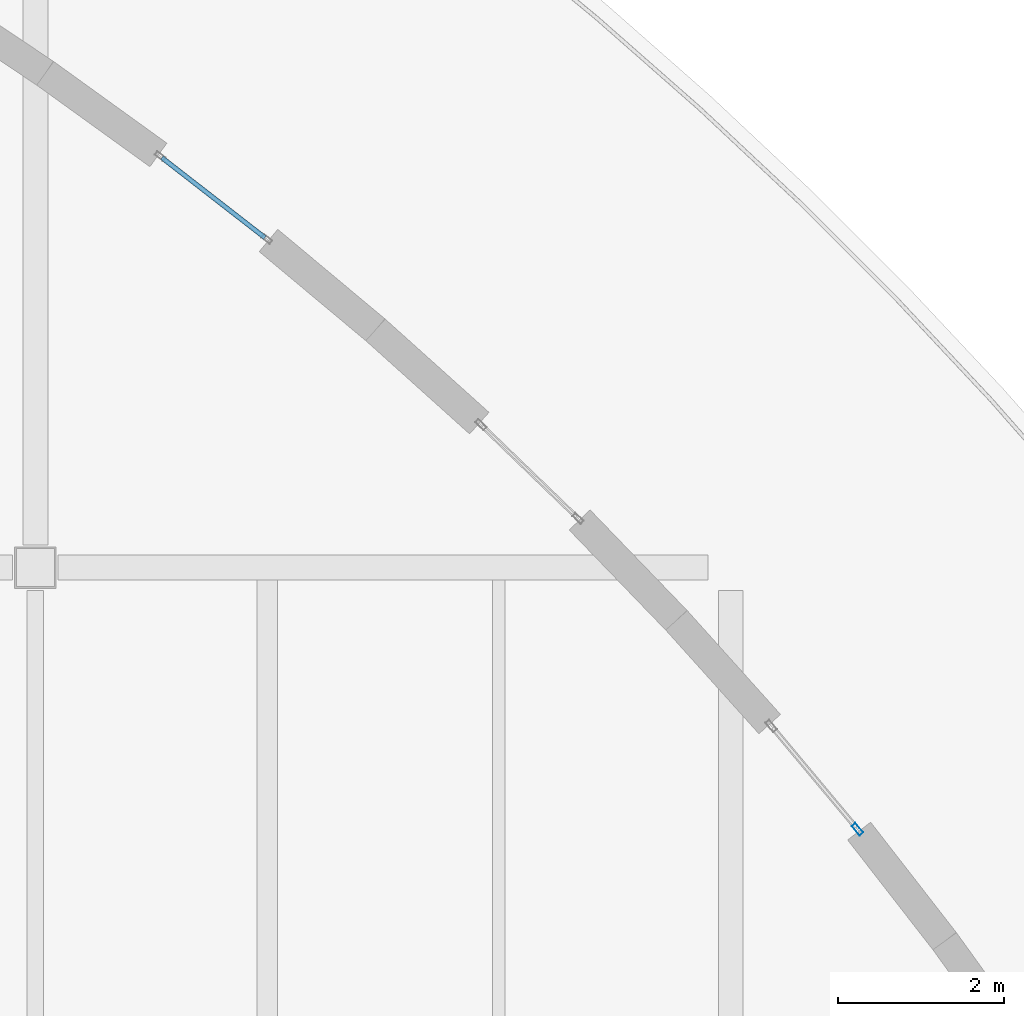
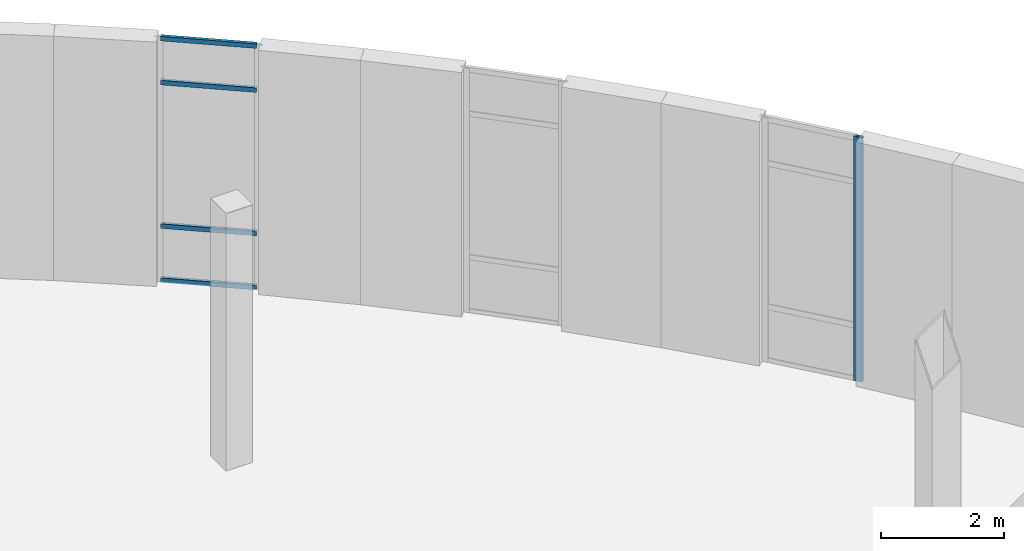
# One storey, part 56 of 103: 5 members, 2 elements without a shape of their own.
"""IFC4 building model written with IfcOpenShell, lengths in metres."""

from ifc_helpers import new_model, si_unit, direction, frame, origin, origin_2d, place, context, subcontext, project, spatial, hollow_rectangle, extrude, material, layer, layer_set, material_profile, profile_set, type_object, element, aggregate, save


model = new_model("IFC4")

# Units and contexts
model_context = context("Model", 3, precision=1e-05, world=origin(), true_north=direction((0.0, 1.0)))
body_context = subcontext(model_context, "Body", "Model", "MODEL_VIEW")
ifc_project = project(units=[si_unit("LENGTHUNIT", "METRE"), si_unit("AREAUNIT", "SQUARE_METRE"), si_unit("VOLUMEUNIT", "CUBIC_METRE"), si_unit("PLANEANGLEUNIT", "RADIAN"), si_unit("MASSUNIT", "GRAM", prefix="KILO"), si_unit("THERMODYNAMICTEMPERATUREUNIT", "KELVIN")], contexts=[model_context])

# Site, building, storey
site_placement = place(None, origin())
site = spatial("IfcSite", under=ifc_project, at=site_placement, CompositionType="ELEMENT")
building_placement = place(site_placement, origin())
building = spatial("IfcBuilding", under=site, at=building_placement, Name="Lustrewick Department Store", CompositionType="ELEMENT")
storey_placement = place(building_placement, frame((0.0, 0.0, 16.5)))
storey = spatial("IfcBuildingStorey", under=building, at=storey_placement, Name="L04", CompositionType="ELEMENT", Elevation=16.5)

# Curtain wall, member
ifc_material = material(Name="Thermally broken aluminium 6063-T5", Category="aluminium")
ifc_layer_1 = layer(ifc_material, 0.14990234375, Name="Thermally broken aluminium 6063-T5")
ifc_layer_set_1 = layer_set([ifc_layer_1], Name="Thermally broken aluminium 6063-T5")
curtain_wall_type_1 = type_object("IfcCurtainWallType", Name="CW05", PredefinedType="NOTDEFINED", material=ifc_layer_set_1)
curtain_wall_1_placement = place(storey_placement, origin())
curtain_wall_1 = element("IfcCurtainWall", 1, at=curtain_wall_1_placement, inside=storey, type_object=curtain_wall_type_1, Name="L04 V4 Curtain Wall CW05", PredefinedType="NOTDEFINED")
ifc_material_profile_1 = material_profile(ifc_material, hollow_rectangle(XDim=0.06005859375, YDim=0.14990234375, WallThickness=0.00341796875, at=origin_2d()), Name="ALU-M 60x150x3.5")
ifc_profile_set_1 = profile_set([ifc_material_profile_1], Name="Thermally broken aluminium 6063-T5")
member_type_1 = type_object("IfcMemberType", Name="CW05-M1", PredefinedType="MULLION", material=ifc_profile_set_1)
member_1_placement = place(storey_placement, frame((152.732666015625, 89.239501953125, 0.0), z_axis=(0.0, 0.0, 1.0), x_axis=(-0.767320559284, -0.641263720555, 0.0)))
member_1 = element("IfcMember", 2, at=member_1_placement, type_object=member_type_1, Name="CW05 mullion 1", PredefinedType="MULLION", context=body_context, shape_type="SweptSolid", body=[
    extrude(hollow_rectangle(XDim=0.06005859375, YDim=0.14990234375, WallThickness=0.00341796875, at=origin_2d()), origin(), (0.0, 0.0, 1.0), 4.844970703125),
])
aggregate(curtain_wall_1, [member_1])

# Curtain wall, members
ifc_layer_2 = layer(ifc_material, 0.1298828125, Name="Thermally broken aluminium 6063-T5")
ifc_layer_set_2 = layer_set([ifc_layer_2], Name="Thermally broken aluminium 6063-T5")
curtain_wall_type_2 = type_object("IfcCurtainWallType", Name="CW07", PredefinedType="NOTDEFINED", material=ifc_layer_set_2)
curtain_wall_2_placement = place(storey_placement, origin())
curtain_wall_2 = element("IfcCurtainWall", 3, at=curtain_wall_2_placement, inside=storey, type_object=curtain_wall_type_2, Name="L04 V4 Curtain Wall CW07", PredefinedType="NOTDEFINED")
ifc_material_profile_2 = material_profile(ifc_material, hollow_rectangle(XDim=0.054931640625, YDim=0.090087890625, WallThickness=0.0029296875, at=origin_2d()), Name="ALU-T 55x90x3")
ifc_profile_set_2 = profile_set([ifc_material_profile_2], Name="Thermally broken aluminium 6063-T5")
member_type_2 = type_object("IfcMemberType", Name="CW07-T1", PredefinedType="USERDEFINED", material=ifc_profile_set_2)
member_2_placement = place(storey_placement, frame((145.572998046875, 96.3857421875, 0.027587890625), z_axis=(-0.789727721562, 0.613457517515, 0.0), x_axis=(-0.613457517515, -0.789727721562, 0.0)))
member_2 = element("IfcMember", 4, at=member_2_placement, type_object=member_type_2, Name="CW07 transom 1.1", ObjectType="TRANSOM", PredefinedType="USERDEFINED", context=body_context, shape_type="SweptSolid", body=[
    extrude(hollow_rectangle(XDim=0.054931640625, YDim=0.090087890625, WallThickness=0.0029296875, at=origin_2d()), origin(), (0.0, 0.0, 1.0), 1.57470703125),
])
member_3_placement = place(storey_placement, frame((145.572998046875, 96.3857421875, 1.10009765625), z_axis=(-0.789727721562, 0.613457517515, 0.0), x_axis=(-0.613457517515, -0.789727721562, 0.0)))
member_3 = element("IfcMember", 5, at=member_3_placement, type_object=member_type_2, Name="CW07 transom 1.2", ObjectType="TRANSOM", PredefinedType="USERDEFINED", context=body_context, shape_type="SweptSolid", body=[
    extrude(hollow_rectangle(XDim=0.054931640625, YDim=0.090087890625, WallThickness=0.0029296875, at=origin_2d()), origin(), (0.0, 0.0, 1.0), 1.57470703125),
])
member_4_placement = place(storey_placement, frame((145.572998046875, 96.3857421875, 3.945068359375), z_axis=(-0.789727721562, 0.613457517515, 0.0), x_axis=(-0.613457517515, -0.789727721562, 0.0)))
member_4 = element("IfcMember", 6, at=member_4_placement, type_object=member_type_2, Name="CW07 transom 1.3", ObjectType="TRANSOM", PredefinedType="USERDEFINED", context=body_context, shape_type="SweptSolid", body=[
    extrude(hollow_rectangle(XDim=0.054931640625, YDim=0.090087890625, WallThickness=0.0029296875, at=origin_2d()), origin(), (0.0, 0.0, 1.0), 1.57470703125),
])
member_5_placement = place(storey_placement, frame((145.572998046875, 96.3857421875, 4.8173828125), z_axis=(-0.789727721562, 0.613457517515, 0.0), x_axis=(-0.613457517515, -0.789727721562, 0.0)))
member_5 = element("IfcMember", 7, at=member_5_placement, type_object=member_type_2, Name="CW07 transom 1.4", ObjectType="TRANSOM", PredefinedType="USERDEFINED", context=body_context, shape_type="SweptSolid", body=[
    extrude(hollow_rectangle(XDim=0.054931640625, YDim=0.090087890625, WallThickness=0.0029296875, at=origin_2d()), origin(), (0.0, 0.0, 1.0), 1.57470703125),
])
aggregate(curtain_wall_2, [member_2, member_3, member_4, member_5])

save(model, "model.ifc")
